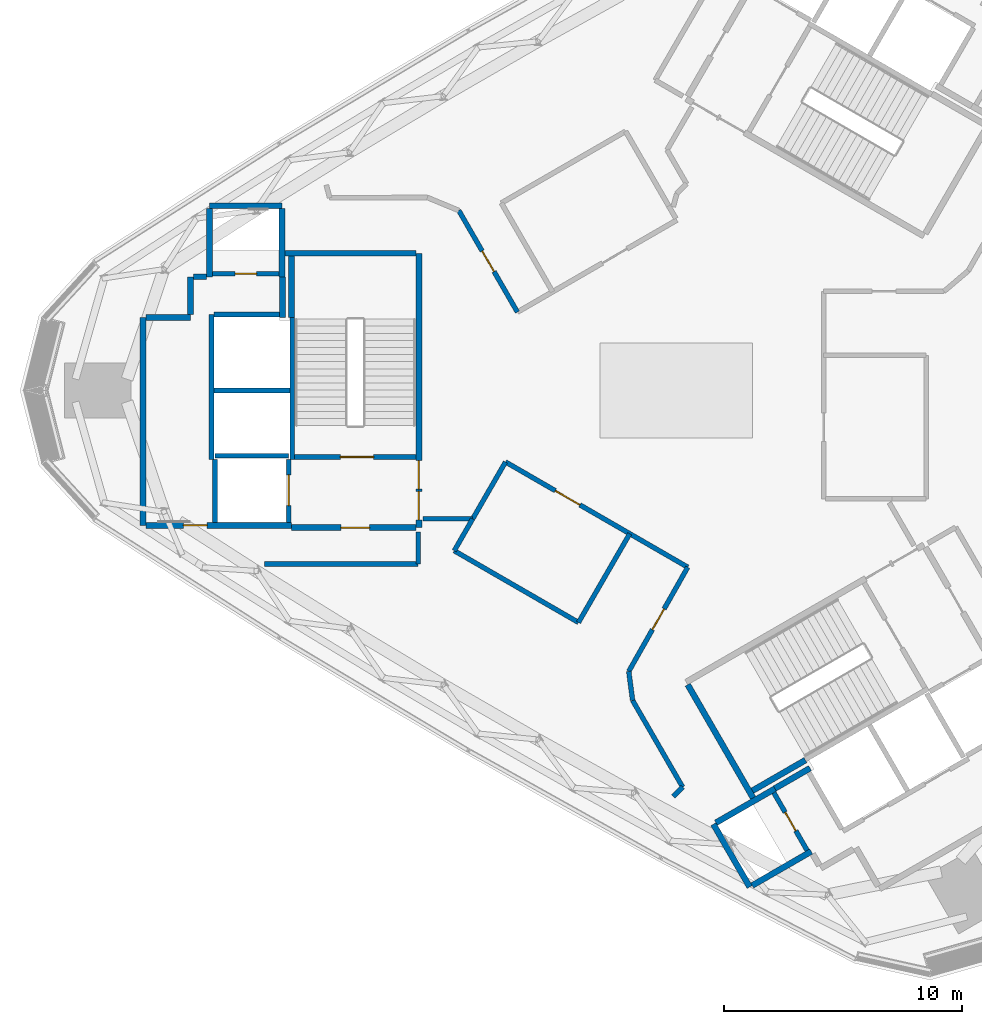
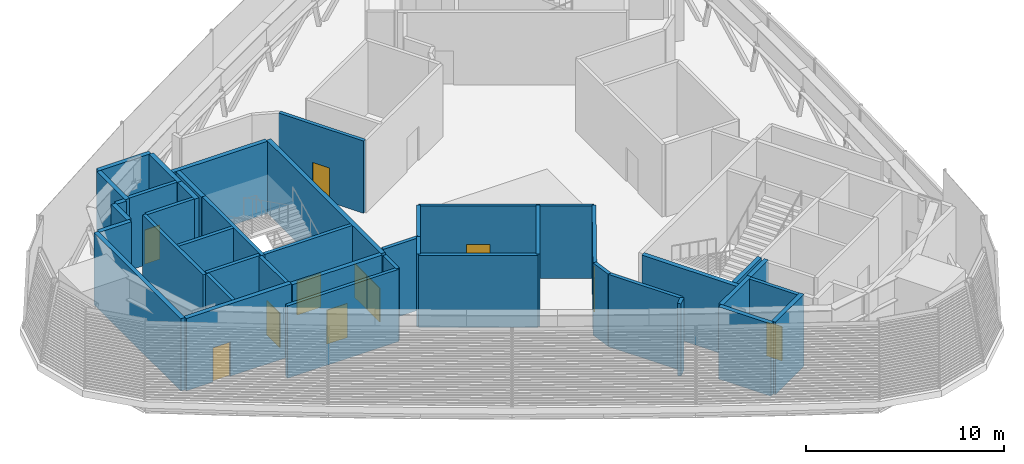
# One storey, part 12 of 18: 42 walls, 11 doors, 11 openings.
"""IFC4 building model written with IfcOpenShell, lengths in metres."""

from ifc_helpers import new_model, si_unit, direction, frame, frame_2d, origin, place, context, subcontext, project, spatial, rectangle, extrude, material, layer, layer_set, type_object, element, fill, save


model = new_model("IFC4")

# Units and contexts
model_context = context("Model", 3, precision=1e-05, world=origin(), true_north=direction((0.0, 1.0)))
body_context = subcontext(model_context, "Body", "Model", "MODEL_VIEW")
ifc_project = project(units=[si_unit("LENGTHUNIT", "METRE"), si_unit("AREAUNIT", "SQUARE_METRE"), si_unit("VOLUMEUNIT", "CUBIC_METRE"), si_unit("PLANEANGLEUNIT", "RADIAN"), si_unit("MASSUNIT", "GRAM", prefix="KILO")], contexts=[model_context])

# Site, building, storey
site_placement = place(None, origin())
site = spatial("IfcSite", under=ifc_project, at=site_placement, CompositionType="ELEMENT")
building_placement = place(site_placement, origin())
building = spatial("IfcBuilding", under=site, at=building_placement, Name="Tamra Quay Hotel Tower", CompositionType="ELEMENT")
storey_placement = place(building_placement, frame((0.0, 0.0, 257.39990234375)))
storey = spatial("IfcBuildingStorey", under=building, at=storey_placement, Name="L65", CompositionType="ELEMENT", Elevation=257.39990234375)

# Walls
ifc_material_1 = material(Name="Concrete M70", Category="concrete")
ifc_layer_1 = layer(ifc_material_1, 0.199951171875)
ifc_layer_set_1 = layer_set([ifc_layer_1], Name="Concrete M70 core wall 200")
wall_type_1 = type_object("IfcWallType", Name="Concrete M70 core wall 200", PredefinedType="SHEAR", material=ifc_layer_set_1)
wall_1_placement = place(storey_placement, frame((-16.162109375, 3.073974609375, 0.0), z_axis=(0.0, 0.0, 1.0), x_axis=(0.0, -1.0, 0.0)))
element("IfcWall", 1, at=wall_1_placement, inside=storey, type_object=wall_type_1, Name="CW2", PredefinedType="SHEAR", context=body_context, shape_type="SweptSolid", body=[
    extrude(rectangle(XDim=5.97412109375, YDim=0.199951171875, at=frame_2d((2.987060546875, 0.0))), origin(), (0.0, 0.0, 1.0), 4.4501953125),
])
wall_2_placement = place(storey_placement, frame((-19.5625, -2.900146484375, 0.0), z_axis=(0.0, 0.0, 1.0), x_axis=(0.0, 1.0, 0.0)))
element("IfcWall", 2, at=wall_2_placement, inside=storey, type_object=wall_type_1, Name="CW2", PredefinedType="SHEAR", context=body_context, shape_type="SweptSolid", body=[
    extrude(rectangle(XDim=6.100341796875, YDim=0.199951171875, at=frame_2d((3.05029296875, 0.0))), origin(), (0.0, 0.0, 1.0), 4.4501953125),
])

# Wall, opening, door
wall_3_placement = place(storey_placement, frame((-10.96337890625, -2.800048828125, 0.0), z_axis=(0.0, 0.0, 1.0), x_axis=(-1.0, 0.0, 0.0)))
wall_3 = element("IfcWall", 3, at=wall_3_placement, inside=storey, type_object=wall_type_1, Name="CW2", PredefinedType="SHEAR", context=body_context, shape_type="SweptSolid", body=[
    extrude(rectangle(XDim=5.097900390625, YDim=0.199951171875, at=frame_2d((2.548828125, 0.0))), origin(), (0.0, 0.0, 1.0), 4.4501953125),
])
opening_1_placement = place(wall_3_placement, frame((1.77392578125, 0.0, 0.0)))
opening_1 = element("IfcOpeningElement", 4, at=opening_1_placement, cuts=wall_3, Name="Opening FD2", PredefinedType="OPENING", context=body_context, shape_type="SweptSolid", body=[
    extrude(rectangle(XDim=1.39990234375, YDim=2.10009765625, at=frame_2d((0.699951171875, 1.050048828125))), frame((0.0, 0.10986328125, 0.0), z_axis=(0.0, -1.0, 0.0), x_axis=(1.0, 0.0, 0.0)), (0.0, 0.0, 1.0), 0.219970703125),
])
ifc_material_2 = material(Name="Core door FD2 1400x2100 RH")
door_type_1 = type_object("IfcDoorType", Name="Core door FD2 1400x2100 RH", OperationType="NOTDEFINED", PredefinedType="DOOR", material=ifc_material_2)
door_1_placement = place(opening_1_placement, origin())
door_1 = element("IfcDoor", 5, at=door_1_placement, inside=storey, type_object=door_type_1, Name="FD2", OperationType="SINGLE_SWING_RIGHT", OverallHeight=2.10009765625, OverallWidth=1.39990234375, PredefinedType="DOOR", context=body_context, shape_type="SweptSolid", body=[
    extrude(rectangle(XDim=1.39990234375, YDim=2.10009765625, at=frame_2d((0.699951171875, 1.050048828125))), frame((0.0, 0.02490234375, 0.0), z_axis=(0.0, -1.0, 0.0), x_axis=(1.0, 0.0, 0.0)), (0.0, 0.0, 1.0), 0.050048828125),
])
fill(opening_1, door_1)

# Wall
wall_4_placement = place(storey_placement, frame((-16.26318359375, 0.0, 0.0), z_axis=(0.0, 0.0, 1.0), x_axis=(-1.0, 0.0, 0.0)))
element("IfcWall", 6, at=wall_4_placement, inside=storey, type_object=wall_type_1, Name="CW2", PredefinedType="SHEAR", context=body_context, shape_type="SweptSolid", body=[
    extrude(rectangle(XDim=3.1982421875, YDim=0.199951171875, at=frame_2d((1.59912109375, 0.0))), origin(), (0.0, 0.0, 1.0), 4.4501953125),
])

# Wall, opening, door
wall_5_placement = place(storey_placement, frame((-19.51123046875, 4.91015625, 0.0), z_axis=(0.0, 0.0, 1.0), x_axis=(1.0, 0.0, 0.0)))
wall_5 = element("IfcWall", 7, at=wall_5_placement, inside=storey, type_object=wall_type_1, Name="CW2", PredefinedType="SHEAR", context=body_context, shape_type="SweptSolid", body=[
    extrude(rectangle(XDim=2.7978515625, YDim=0.199951171875, at=frame_2d((1.39892578125, 0.0))), origin(), (0.0, 0.0, 1.0), 4.4501953125),
])
opening_2_placement = place(wall_5_placement, frame((0.948974609375, 0.0, 0.0)))
opening_2 = element("IfcOpeningElement", 8, at=opening_2_placement, cuts=wall_5, Name="Opening D1", PredefinedType="OPENING", context=body_context, shape_type="SweptSolid", body=[
    extrude(rectangle(XDim=0.89990234375, YDim=2.10009765625, at=frame_2d((0.449951171875, 1.050048828125))), frame((0.0, 0.10986328125, 0.0), z_axis=(0.0, -1.0, 0.0), x_axis=(1.0, 0.0, 0.0)), (0.0, 0.0, 1.0), 0.219970703125),
])
ifc_material_3 = material(Name="Core door D1 900x2100 LH")
door_type_2 = type_object("IfcDoorType", Name="Core door D1 900x2100 LH", OperationType="NOTDEFINED", PredefinedType="DOOR", material=ifc_material_3)
door_2_placement = place(opening_2_placement, origin())
door_2 = element("IfcDoor", 9, at=door_2_placement, inside=storey, type_object=door_type_2, Name="D1", OperationType="SINGLE_SWING_LEFT", OverallHeight=2.10009765625, OverallWidth=0.89990234375, PredefinedType="DOOR", context=body_context, shape_type="SweptSolid", body=[
    extrude(rectangle(XDim=0.89990234375, YDim=2.10009765625, at=frame_2d((0.449951171875, 1.050048828125))), frame((0.0, 0.02490234375, 0.0), z_axis=(0.0, -1.0, 0.0), x_axis=(1.0, 0.0, 0.0)), (0.0, 0.0, 1.0), 0.050048828125),
])
fill(opening_2, door_2)

# Walls
wall_6_placement = place(storey_placement, frame((-19.46240234375, 3.2001953125, 0.0), z_axis=(0.0, 0.0, 1.0), x_axis=(1.0, 0.0, 0.0)))
element("IfcWall", 10, at=wall_6_placement, inside=storey, type_object=wall_type_1, Name="CW2", PredefinedType="SHEAR", context=body_context, shape_type="SweptSolid", body=[
    extrude(rectangle(XDim=2.759033203125, YDim=0.199951171875, at=frame_2d((1.37939453125, 0.0))), origin(), (0.0, 0.0, 1.0), 4.4501953125),
])
wall_7_placement = place(storey_placement, frame((-19.412353515625, -2.75, 0.0), z_axis=(0.0, 0.0, 1.0), x_axis=(1.0, 0.0, 0.0)))
element("IfcWall", 11, at=wall_7_placement, inside=storey, type_object=wall_type_1, Name="CW2", PredefinedType="SHEAR", context=body_context, shape_type="SweptSolid", body=[
    extrude(rectangle(XDim=3.10009765625, YDim=0.199951171875, at=frame_2d((1.550048828125, 0.0))), origin(), (0.0, 0.0, 1.0), 4.4501953125),
])

# Wall, opening, door
wall_8_placement = place(storey_placement, frame((-16.312255859375, -2.898193359375, 0.0), z_axis=(0.0, 0.0, 1.0), x_axis=(0.0, -1.0, 0.0)))
wall_8 = element("IfcWall", 12, at=wall_8_placement, inside=storey, type_object=wall_type_1, Name="CW2", PredefinedType="SHEAR", context=body_context, shape_type="SweptSolid", body=[
    extrude(rectangle(XDim=2.65087890625, YDim=0.199951171875, at=frame_2d((1.325439453125, 0.0))), origin(), (0.0, 0.0, 1.0), 4.4501953125),
])
opening_3_placement = place(wall_8_placement, frame((0.65185546875, 0.0, 0.0)))
opening_3 = element("IfcOpeningElement", 13, at=opening_3_placement, cuts=wall_8, Name="Opening LD", PredefinedType="OPENING", context=body_context, shape_type="SweptSolid", body=[
    extrude(rectangle(XDim=1.300048828125, YDim=2.10009765625, at=frame_2d((0.64990234375, 1.050048828125))), frame((0.0, 0.10986328125, 0.0), z_axis=(0.0, -1.0, 0.0), x_axis=(1.0, 0.0, 0.0)), (0.0, 0.0, 1.0), 0.219970703125),
])
ifc_material_4 = material(Name="Landing door LD 1300 sliding to right")
door_type_3 = type_object("IfcDoorType", Name="Landing door LD 1300 sliding to right", OperationType="NOTDEFINED", PredefinedType="DOOR", material=ifc_material_4)
door_3_placement = place(opening_3_placement, origin())
door_3 = element("IfcDoor", 14, at=door_3_placement, inside=storey, type_object=door_type_3, Name="LD", OperationType="SLIDING_TO_RIGHT", OverallHeight=2.10009765625, OverallWidth=1.300048828125, PredefinedType="DOOR", context=body_context, shape_type="SweptSolid", body=[
    extrude(rectangle(XDim=1.300048828125, YDim=2.10009765625, at=frame_2d((0.64990234375, 1.050048828125))), frame((0.0, 0.02490234375, 0.0), z_axis=(0.0, -1.0, 0.0), x_axis=(1.0, 0.0, 0.0)), (0.0, 0.0, 1.0), 0.050048828125),
])
fill(opening_3, door_3)

# Wall
wall_9_placement = place(storey_placement, frame((-19.412353515625, -5.549072265625, 0.0), z_axis=(0.0, 0.0, 1.0), x_axis=(0.0, 1.0, 0.0)))
element("IfcWall", 15, at=wall_9_placement, inside=storey, type_object=wall_type_1, Name="CW2", PredefinedType="SHEAR", context=body_context, shape_type="SweptSolid", body=[
    extrude(rectangle(XDim=2.65087890625, YDim=0.199951171875, at=frame_2d((1.325439453125, 0.0))), origin(), (0.0, 0.0, 1.0), 4.4501953125),
])

# Wall, opening, door
wall_10_placement = place(storey_placement, frame((5.50341796875, -19.352294921875, 0.0), z_axis=(0.0, 0.0, 1.0), x_axis=(-0.499986818241, 0.866033014143, 0.0)))
wall_10 = element("IfcWall", 16, at=wall_10_placement, inside=storey, type_object=wall_type_1, Name="CW2", PredefinedType="SHEAR", context=body_context, shape_type="SweptSolid", body=[
    extrude(rectangle(XDim=2.7978515625, YDim=0.199951171875, at=frame_2d((1.39892578125, 0.0))), origin(), (0.0, 0.0, 1.0), 4.4501953125),
])
opening_4_placement = place(wall_10_placement, frame((0.948974609375, 0.0, 0.0)))
opening_4 = element("IfcOpeningElement", 17, at=opening_4_placement, cuts=wall_10, Name="Opening D1", PredefinedType="OPENING", context=body_context, shape_type="SweptSolid", body=[
    extrude(rectangle(XDim=0.89990234375, YDim=2.10009765625, at=frame_2d((0.449951171875, 1.050048828125))), frame((0.0, 0.10986328125, 0.0), z_axis=(0.0, -1.0, 0.0), x_axis=(1.0, 0.0, 0.0)), (0.0, 0.0, 1.0), 0.219970703125),
])
ifc_material_5 = material(Name="Core door D1 900x2100 RH")
door_type_4 = type_object("IfcDoorType", Name="Core door D1 900x2100 RH", OperationType="NOTDEFINED", PredefinedType="DOOR", material=ifc_material_5)
door_4_placement = place(opening_4_placement, origin())
door_4 = element("IfcDoor", 18, at=door_4_placement, inside=storey, type_object=door_type_4, Name="D1", OperationType="SINGLE_SWING_RIGHT", OverallHeight=2.10009765625, OverallWidth=0.89990234375, PredefinedType="DOOR", context=body_context, shape_type="SweptSolid", body=[
    extrude(rectangle(XDim=0.89990234375, YDim=2.10009765625, at=frame_2d((0.449951171875, 1.050048828125))), frame((0.0, 0.02490234375, 0.0), z_axis=(0.0, -1.0, 0.0), x_axis=(1.0, 0.0, 0.0)), (0.0, 0.0, 1.0), 0.050048828125),
])
fill(opening_4, door_4)

# Wall, openings, doors
ifc_layer_2 = layer(ifc_material_1, 0.25)
ifc_layer_set_2 = layer_set([ifc_layer_2], Name="Concrete M70 core wall 250")
wall_type_2 = type_object("IfcWallType", Name="Concrete M70 core wall 250", PredefinedType="SHEAR", material=ifc_layer_set_2)
wall_11_placement = place(storey_placement, frame((-10.83740234375, 5.77490234375, 0.0), z_axis=(0.0, 0.0, 1.0), x_axis=(0.0, -1.0, 0.0)))
wall_11 = element("IfcWall", 19, at=wall_11_placement, inside=storey, type_object=wall_type_2, Name="CW1", PredefinedType="SHEAR", context=body_context, shape_type="SweptSolid", body=[
    extrude(rectangle(XDim=11.5498046875, YDim=0.25, at=frame_2d((5.77490234375, 0.0))), origin(), (0.0, 0.0, 1.0), 4.4501953125),
])
opening_5_placement = place(wall_11_placement, frame((10.02490234375, 0.0, 0.0)))
opening_5 = element("IfcOpeningElement", 20, at=opening_5_placement, cuts=wall_11, Name="Opening FD1", PredefinedType="OPENING", context=body_context, shape_type="SweptSolid", body=[
    extrude(rectangle(XDim=1.199951171875, YDim=2.10009765625, at=frame_2d((0.60009765625, 1.050048828125))), frame((0.0, 0.135009765625, 0.0), z_axis=(0.0, -1.0, 0.0), x_axis=(1.0, 0.0, 0.0)), (0.0, 0.0, 1.0), 0.27001953125),
])
opening_6_placement = place(wall_11_placement, frame((8.72509765625, 0.0, 0.0)))
opening_6 = element("IfcOpeningElement", 21, at=opening_6_placement, cuts=wall_11, Name="Opening FD1", PredefinedType="OPENING", context=body_context, shape_type="SweptSolid", body=[
    extrude(rectangle(XDim=1.199951171875, YDim=2.10009765625, at=frame_2d((0.60009765625, 1.050048828125))), frame((0.0, 0.135009765625, 0.0), z_axis=(0.0, -1.0, 0.0), x_axis=(1.0, 0.0, 0.0)), (0.0, 0.0, 1.0), 0.27001953125),
])
ifc_material_6 = material(Name="Core door FD1 1200x2100 LH")
door_type_5 = type_object("IfcDoorType", Name="Core door FD1 1200x2100 LH", OperationType="NOTDEFINED", PredefinedType="DOOR", material=ifc_material_6)
door_5_placement = place(opening_5_placement, origin())
door_5 = element("IfcDoor", 22, at=door_5_placement, inside=storey, type_object=door_type_5, Name="FD1", OperationType="SINGLE_SWING_LEFT", OverallHeight=2.10009765625, OverallWidth=1.199951171875, PredefinedType="DOOR", context=body_context, shape_type="SweptSolid", body=[
    extrude(rectangle(XDim=1.199951171875, YDim=2.10009765625, at=frame_2d((0.60009765625, 1.050048828125))), frame((0.0, 0.02490234375, 0.0), z_axis=(0.0, -1.0, 0.0), x_axis=(1.0, 0.0, 0.0)), (0.0, 0.0, 1.0), 0.050048828125),
])
fill(opening_5, door_5)
ifc_material_7 = material(Name="Core door FD1 1200x2100 RH")
door_type_6 = type_object("IfcDoorType", Name="Core door FD1 1200x2100 RH", OperationType="NOTDEFINED", PredefinedType="DOOR", material=ifc_material_7)
door_6_placement = place(opening_6_placement, origin())
door_6 = element("IfcDoor", 23, at=door_6_placement, inside=storey, type_object=door_type_6, Name="FD1", OperationType="SINGLE_SWING_RIGHT", OverallHeight=2.10009765625, OverallWidth=1.199951171875, PredefinedType="DOOR", context=body_context, shape_type="SweptSolid", body=[
    extrude(rectangle(XDim=1.199951171875, YDim=2.10009765625, at=frame_2d((0.60009765625, 1.050048828125))), frame((0.0, 0.02490234375, 0.0), z_axis=(0.0, -1.0, 0.0), x_axis=(1.0, 0.0, 0.0)), (0.0, 0.0, 1.0), 0.050048828125),
])
fill(opening_6, door_6)

# Wall
wall_12_placement = place(storey_placement, frame((-22.437255859375, -5.675048828125, 0.0), z_axis=(0.0, 0.0, 1.0), x_axis=(0.0, 1.0, 0.0)))
element("IfcWall", 24, at=wall_12_placement, inside=storey, type_object=wall_type_2, Name="CW1", PredefinedType="SHEAR", context=body_context, shape_type="SweptSolid", body=[
    extrude(rectangle(XDim=8.75, YDim=0.25, at=frame_2d((4.375, 0.0))), origin(), (0.0, 0.0, 1.0), 4.4501953125),
])

# Wall, opening, door
wall_13_placement = place(storey_placement, frame((-16.187255859375, -5.675048828125, 0.0), z_axis=(0.0, 0.0, 1.0), x_axis=(-1.0, 0.0, 0.0)))
wall_13 = element("IfcWall", 25, at=wall_13_placement, inside=storey, type_object=wall_type_2, Name="CW1", PredefinedType="SHEAR", context=body_context, shape_type="SweptSolid", body=[
    extrude(rectangle(XDim=6.12451171875, YDim=0.25, at=frame_2d((3.062255859375, 0.0))), origin(), (0.0, 0.0, 1.0), 4.4501953125),
])
opening_7_placement = place(wall_13_placement, frame((3.562744140625, 0.0, 0.0)))
opening_7 = element("IfcOpeningElement", 26, at=opening_7_placement, cuts=wall_13, Name="Opening FD3", PredefinedType="OPENING", context=body_context, shape_type="SweptSolid", body=[
    extrude(rectangle(XDim=1.0, YDim=2.10009765625, at=frame_2d((0.5, 1.050048828125))), frame((0.0, 0.135009765625, 0.0), z_axis=(0.0, -1.0, 0.0), x_axis=(1.0, 0.0, 0.0)), (0.0, 0.0, 1.0), 0.27001953125),
])
ifc_material_8 = material(Name="Core door FD3 1000x2100 LH")
door_type_7 = type_object("IfcDoorType", Name="Core door FD3 1000x2100 LH", OperationType="NOTDEFINED", PredefinedType="DOOR", material=ifc_material_8)
door_7_placement = place(opening_7_placement, origin())
door_7 = element("IfcDoor", 27, at=door_7_placement, inside=storey, type_object=door_type_7, Name="FD3", OperationType="SINGLE_SWING_LEFT", OverallHeight=2.10009765625, OverallWidth=1.0, PredefinedType="DOOR", context=body_context, shape_type="SweptSolid", body=[
    extrude(rectangle(XDim=1.0, YDim=2.10009765625, at=frame_2d((0.5, 1.050048828125))), frame((0.0, 0.02490234375, 0.0), z_axis=(0.0, -1.0, 0.0), x_axis=(1.0, 0.0, 0.0)), (0.0, 0.0, 1.0), 0.050048828125),
])
fill(opening_7, door_7)

wall_14_placement = place(storey_placement, frame((-10.962646484375, -5.77490234375, 0.0), z_axis=(0.0, 0.0, 1.0), x_axis=(-1.0, 0.0, 0.0)))
wall_14 = element("IfcWall", 28, at=wall_14_placement, inside=storey, type_object=wall_type_2, Name="CW1", PredefinedType="SHEAR", context=body_context, shape_type="SweptSolid", body=[
    extrude(rectangle(XDim=5.224609375, YDim=0.25, at=frame_2d((2.6123046875, 0.0))), origin(), (0.0, 0.0, 1.0), 4.4501953125),
])
opening_8_placement = place(wall_14_placement, frame((1.94970703125, 0.0, 0.0)))
opening_8 = element("IfcOpeningElement", 29, at=opening_8_placement, cuts=wall_14, Name="Opening D2", PredefinedType="OPENING", context=body_context, shape_type="SweptSolid", body=[
    extrude(rectangle(XDim=1.199951171875, YDim=2.10009765625, at=frame_2d((0.60009765625, 1.050048828125))), frame((0.0, 0.135009765625, 0.0), z_axis=(0.0, -1.0, 0.0), x_axis=(1.0, 0.0, 0.0)), (0.0, 0.0, 1.0), 0.27001953125),
])
ifc_material_9 = material(Name="Core door D2 1200x2100 LH")
door_type_8 = type_object("IfcDoorType", Name="Core door D2 1200x2100 LH", OperationType="NOTDEFINED", PredefinedType="DOOR", material=ifc_material_9)
door_8_placement = place(opening_8_placement, origin())
door_8 = element("IfcDoor", 30, at=door_8_placement, inside=storey, type_object=door_type_8, Name="D2", OperationType="SINGLE_SWING_LEFT", OverallHeight=2.10009765625, OverallWidth=1.199951171875, PredefinedType="DOOR", context=body_context, shape_type="SweptSolid", body=[
    extrude(rectangle(XDim=1.199951171875, YDim=2.10009765625, at=frame_2d((0.60009765625, 1.050048828125))), frame((0.0, 0.02490234375, 0.0), z_axis=(0.0, -1.0, 0.0), x_axis=(1.0, 0.0, 0.0)), (0.0, 0.0, 1.0), 0.050048828125),
])
fill(opening_8, door_8)

# Walls
wall_15_placement = place(storey_placement, frame((-16.47216796875, 5.77490234375, 0.0), z_axis=(0.0, 0.0, 1.0), x_axis=(1.0, 0.0, 0.0)))
element("IfcWall", 31, at=wall_15_placement, inside=storey, type_object=wall_type_2, Name="CW1", PredefinedType="SHEAR", context=body_context, shape_type="SweptSolid", body=[
    extrude(rectangle(XDim=5.509521484375, YDim=0.25, at=frame_2d((2.7548828125, 0.0))), origin(), (0.0, 0.0, 1.0), 4.4501953125),
])
wall_16_placement = place(storey_placement, frame((-19.63720703125, 7.77490234375, 0.0), z_axis=(0.0, 0.0, 1.0), x_axis=(1.0, 0.0, 0.0)))
element("IfcWall", 32, at=wall_16_placement, inside=storey, type_object=wall_type_2, Name="CW1", PredefinedType="SHEAR", context=body_context, shape_type="SweptSolid", body=[
    extrude(rectangle(XDim=3.0498046875, YDim=0.25, at=frame_2d((1.52490234375, 0.0))), origin(), (0.0, 0.0, 1.0), 4.4501953125),
])
for number, where, z_axis, x_axis, name in (
    (33, (-16.58740234375, 7.649658203125, 0.0), (0.0, 0.0, 1.0), (0.0, -1.0, 0.0), "CW1"),
    (34, (-19.63720703125, 4.784912109375, 0.0), (0.0, 0.0, 1.0), (0.0, 1.0, 0.0), "CW1"),
):
    element("IfcWall", number, at=place(storey_placement, frame(where, z_axis=z_axis, x_axis=x_axis)), inside=storey, type_object=wall_type_2, Name=name, PredefinedType="SHEAR", context=body_context, shape_type="SweptSolid", body=[
        extrude(rectangle(XDim=2.86474609375, YDim=0.25, at=frame_2d((1.432373046875, 0.0))), origin(), (0.0, 0.0, 1.0), 4.4501953125),
    ])
wall_17_placement = place(storey_placement, frame((-16.187255859375, 3.074951171875, 0.0), z_axis=(0.0, 0.0, 1.0), x_axis=(0.0, 1.0, 0.0)))
element("IfcWall", 35, at=wall_17_placement, inside=storey, type_object=wall_type_2, Name="CW1", PredefinedType="SHEAR", context=body_context, shape_type="SweptSolid", body=[
    extrude(rectangle(XDim=2.57470703125, YDim=0.25, at=frame_2d((1.287353515625, 0.0))), origin(), (0.0, 0.0, 1.0), 4.4501953125),
])
wall_18_placement = place(storey_placement, frame((-22.311767578125, 3.074951171875, 0.0), z_axis=(0.0, 0.0, 1.0), x_axis=(1.0, 0.0, 0.0)))
element("IfcWall", 36, at=wall_18_placement, inside=storey, type_object=wall_type_2, Name="CW1", PredefinedType="SHEAR", context=body_context, shape_type="SweptSolid", body=[
    extrude(rectangle(XDim=1.864501953125, YDim=0.25, at=frame_2d((0.93212890625, 0.0))), origin(), (0.0, 0.0, 1.0), 4.4501953125),
])
wall_19_placement = place(storey_placement, frame((-16.577392578125, 4.784912109375, 0.0), z_axis=(0.0, 0.0, 1.0), x_axis=(0.0, -1.0, 0.0)))
element("IfcWall", 37, at=wall_19_placement, inside=storey, type_object=wall_type_2, Name="CW1", PredefinedType="SHEAR", context=body_context, shape_type="SweptSolid", body=[
    extrude(rectangle(XDim=1.7099609375, YDim=0.25, at=frame_2d((0.85498046875, 0.0))), origin(), (0.0, 0.0, 1.0), 4.4501953125),
])
wall_20_placement = place(storey_placement, frame((-20.447265625, 3.200439453125, 0.0), z_axis=(0.0, 0.0, 1.0), x_axis=(0.0, 1.0, 0.0)))
element("IfcWall", 38, at=wall_20_placement, inside=storey, type_object=wall_type_2, Name="CW1", PredefinedType="SHEAR", context=body_context, shape_type="SweptSolid", body=[
    extrude(rectangle(XDim=1.58447265625, YDim=0.25, at=frame_2d((0.792236328125, 0.0))), origin(), (0.0, 0.0, 1.0), 4.4501953125),
])
wall_21_placement = place(storey_placement, frame((-20.32177734375, 4.784912109375, 0.0), z_axis=(0.0, 0.0, 1.0), x_axis=(1.0, 0.0, 0.0)))
element("IfcWall", 39, at=wall_21_placement, inside=storey, type_object=wall_type_2, Name="CW1", PredefinedType="SHEAR", context=body_context, shape_type="SweptSolid", body=[
    extrude(rectangle(XDim=0.55908203125, YDim=0.25, at=frame_2d((0.279541015625, 0.0))), origin(), (0.0, 0.0, 1.0), 4.4501953125),
])
wall_22_placement = place(storey_placement, frame((3.23486328125, -17.15283203125, 0.0), z_axis=(0.0, 0.0, 1.0), x_axis=(-0.500008851346, 0.866020293397, 0.0)))
element("IfcWall", 40, at=wall_22_placement, inside=storey, type_object=wall_type_2, Name="CW1", PredefinedType="SHEAR", context=body_context, shape_type="SweptSolid", body=[
    extrude(rectangle(XDim=5.509765625, YDim=0.25, at=frame_2d((2.7548828125, 0.0))), origin(), (0.0, 0.0, 1.0), 4.4501953125),
])
wall_23_placement = place(storey_placement, frame((3.085205078125, -20.893798828125, 0.0), z_axis=(0.0, 0.0, 1.0), x_axis=(-0.499978833458, 0.866037623948, 0.0)))
element("IfcWall", 41, at=wall_23_placement, inside=storey, type_object=wall_type_2, Name="CW1", PredefinedType="SHEAR", context=body_context, shape_type="SweptSolid", body=[
    extrude(rectangle(XDim=3.050048828125, YDim=0.25, at=frame_2d((1.52490234375, 0.0))), origin(), (0.0, 0.0, 1.0), 4.4501953125),
])
wall_24_placement = place(storey_placement, frame((1.6689453125, -18.189697265625, 0.0), z_axis=(0.0, 0.0, 1.0), x_axis=(0.866042235819, 0.499970844928, 0.0)))
element("IfcWall", 42, at=wall_24_placement, inside=storey, type_object=wall_type_2, Name="CW1", PredefinedType="SHEAR", context=body_context, shape_type="SweptSolid", body=[
    extrude(rectangle(XDim=2.864501953125, YDim=0.25, at=frame_2d((1.43212890625, 0.0))), origin(), (0.0, 0.0, 1.0), 4.4501953125),
])
wall_25_placement = place(storey_placement, frame((5.6748046875, -19.39892578125, 0.0), z_axis=(0.0, 0.0, 1.0), x_axis=(-0.866026637627, -0.499997862916, 0.0)))
element("IfcWall", 43, at=wall_25_placement, inside=storey, type_object=wall_type_2, Name="CW1", PredefinedType="SHEAR", context=body_context, shape_type="SweptSolid", body=[
    extrude(rectangle(XDim=2.86474609375, YDim=0.25, at=frame_2d((1.432373046875, 0.0))), origin(), (0.0, 0.0, 1.0), 4.4501953125),
])
wall_26_placement = place(storey_placement, frame((5.4306640625, -15.55615234375, 0.0), z_axis=(0.0, 0.0, 1.0), x_axis=(-0.866022940537, -0.500004266446, 0.0)))
element("IfcWall", 44, at=wall_26_placement, inside=storey, type_object=wall_type_2, Name="CW1", PredefinedType="SHEAR", context=body_context, shape_type="SweptSolid", body=[
    extrude(rectangle(XDim=2.57470703125, YDim=0.25, at=frame_2d((1.287353515625, 0.0))), origin(), (0.0, 0.0, 1.0), 4.4501953125),
])
wall_27_placement = place(storey_placement, frame((4.144775390625, -16.748779296875, 0.0), z_axis=(0.0, 0.0, 1.0), x_axis=(0.866038183914, 0.499977863513, 0.0)))
element("IfcWall", 45, at=wall_27_placement, inside=storey, type_object=wall_type_2, Name="CW1", PredefinedType="SHEAR", context=body_context, shape_type="SweptSolid", body=[
    extrude(rectangle(XDim=1.7099609375, YDim=0.25, at=frame_2d((0.85498046875, 0.0))), origin(), (0.0, 0.0, 1.0), 4.4501953125),
])
ifc_material_10 = material(Name="Partition corridor wall")
ifc_layer_3 = layer(ifc_material_10, 0.199951171875)
ifc_layer_set_3 = layer_set([ifc_layer_3], Name="Partition corridor wall")
wall_type_3 = type_object("IfcWallType", Name="Partition corridor wall", PredefinedType="PARTITIONING", material=ifc_layer_set_3)
wall_28_placement = place(storey_placement, frame((-17.337890625, -7.300048828125, 0.0), z_axis=(0.0, 0.0, 1.0), x_axis=(1.0, 0.0, 0.0)))
element("IfcWall", 46, at=wall_28_placement, inside=storey, type_object=wall_type_3, Name="W-C", PredefinedType="PARTITIONING", context=body_context, shape_type="SweptSolid", body=[
    extrude(rectangle(XDim=6.475830078125, YDim=0.199951171875, at=frame_2d((3.23779296875, 0.0))), origin(), (0.0, 0.0, 1.0), 4.4501953125),
])
wall_29_placement = place(storey_placement, frame((-10.862060546875, -7.300048828125, 0.0), z_axis=(0.0, 0.0, 1.0), x_axis=(0.0, 1.0, 0.0)))
element("IfcWall", 47, at=wall_29_placement, inside=storey, type_object=wall_type_3, Name="W-C", PredefinedType="PARTITIONING", context=body_context, shape_type="SweptSolid", body=[
    extrude(rectangle(XDim=1.340087890625, YDim=0.199951171875, at=frame_2d((0.669921875, 0.0))), origin(), (0.0, 0.0, 1.0), 4.4501953125),
])
wall_30_placement = place(storey_placement, frame((-10.65234375, -5.39990234375, 0.0), z_axis=(0.0, 0.0, 1.0), x_axis=(1.0, 0.0, 0.0)))
element("IfcWall", 48, at=wall_30_placement, inside=storey, type_object=wall_type_3, Name="W-C", PredefinedType="PARTITIONING", context=body_context, shape_type="SweptSolid", body=[
    extrude(rectangle(XDim=2.083251953125, YDim=0.199951171875, at=frame_2d((1.04150390625, 0.0))), origin(), (0.0, 0.0, 1.0), 4.4501953125),
])

# Wall, opening, door
wall_31_placement = place(storey_placement, frame((-9.155029296875, 7.573974609375, 0.0), z_axis=(0.0, 0.0, 1.0), x_axis=(0.499899390653, -0.866083482827, 0.0)))
wall_31 = element("IfcWall", 49, at=wall_31_placement, inside=storey, type_object=wall_type_3, Name="W-C", PredefinedType="PARTITIONING", context=body_context, shape_type="SweptSolid", body=[
    extrude(rectangle(XDim=4.93701171875, YDim=0.199951171875, at=frame_2d((2.468505859375, 0.0))), origin(), (0.0, 0.0, 1.0), 4.4501953125),
])
opening_9_placement = place(wall_31_placement, frame((1.965576171875, 0.0, 0.0)))
opening_9 = element("IfcOpeningElement", 50, at=opening_9_placement, cuts=wall_31, Name="Opening L65-D001", PredefinedType="OPENING", context=body_context, shape_type="SweptSolid", body=[
    extrude(rectangle(XDim=1.0, YDim=2.10009765625, at=frame_2d((0.5, 1.050048828125))), frame((0.0, 0.10986328125, 0.0), z_axis=(0.0, -1.0, 0.0), x_axis=(1.0, 0.0, 0.0)), (0.0, 0.0, 1.0), 0.219970703125),
])
ifc_material_11 = material(Name="Door service room 1000x2100")
door_type_9 = type_object("IfcDoorType", Name="Door service room 1000x2100", OperationType="NOTDEFINED", PredefinedType="DOOR", material=ifc_material_11)
door_9_placement = place(opening_9_placement, origin())
door_9 = element("IfcDoor", 51, at=door_9_placement, inside=storey, type_object=door_type_9, Name="L65-D001", OperationType="SINGLE_SWING_LEFT", OverallHeight=2.10009765625, OverallWidth=1.0, PredefinedType="DOOR", context=body_context, shape_type="SweptSolid", body=[
    extrude(rectangle(XDim=1.0, YDim=2.10009765625, at=frame_2d((0.5, 1.050048828125))), frame((0.0, 0.02490234375, 0.0), z_axis=(0.0, -1.0, 0.0), x_axis=(1.0, 0.0, 0.0)), (0.0, 0.0, 1.0), 0.050048828125),
])
fill(opening_9, door_9)

# Wall
wall_32_placement = place(storey_placement, frame((-8.569091796875, -5.39990234375, 0.0), z_axis=(0.0, 0.0, 1.0), x_axis=(0.499934255424, 0.866063358106, 0.0)))
element("IfcWall", 52, at=wall_32_placement, inside=storey, type_object=wall_type_3, Name="W-C", PredefinedType="PARTITIONING", context=body_context, shape_type="SweptSolid", body=[
    extrude(rectangle(XDim=2.760498046875, YDim=0.199951171875, at=frame_2d((1.38037109375, 0.0))), origin(), (0.0, 0.0, 1.0), 4.4501953125),
])

# Wall, opening, door
wall_33_placement = place(storey_placement, frame((-7.18798828125, -3.00732421875, 0.0), z_axis=(0.0, 0.0, 1.0), x_axis=(0.865946804656, -0.500136112979, 0.0)))
wall_33 = element("IfcWall", 53, at=wall_33_placement, inside=storey, type_object=wall_type_3, Name="W-C", PredefinedType="PARTITIONING", context=body_context, shape_type="SweptSolid", body=[
    extrude(rectangle(XDim=8.85498046875, YDim=0.199951171875, at=frame_2d((4.427490234375, 0.0))), origin(), (0.0, 0.0, 1.0), 4.4501953125),
])
opening_10_placement = place(wall_33_placement, frame((2.418212890625, 0.0, 0.0)))
opening_10 = element("IfcOpeningElement", 54, at=opening_10_placement, cuts=wall_33, Name="Opening L65-D006", PredefinedType="OPENING", context=body_context, shape_type="SweptSolid", body=[
    extrude(rectangle(XDim=1.199951171875, YDim=2.10009765625, at=frame_2d((0.60009765625, 1.050048828125))), frame((0.0, 0.10986328125, 0.0), z_axis=(0.0, -1.0, 0.0), x_axis=(1.0, 0.0, 0.0)), (0.0, 0.0, 1.0), 0.219970703125),
])
ifc_material_12 = material(Name="Door fire rated 1200x2100")
door_type_10 = type_object("IfcDoorType", Name="Door fire rated 1200x2100", OperationType="NOTDEFINED", PredefinedType="DOOR", material=ifc_material_12)
door_10_placement = place(opening_10_placement, frame((1.199951171875, 0.0, 0.0), z_axis=(0.0, 0.0, 1.0), x_axis=(-1.0, 0.0, 0.0)))
door_10 = element("IfcDoor", 55, at=door_10_placement, inside=storey, type_object=door_type_10, Name="L65-D006", OperationType="SINGLE_SWING_LEFT", OverallHeight=2.10009765625, OverallWidth=1.199951171875, PredefinedType="DOOR", context=body_context, shape_type="SweptSolid", body=[
    extrude(rectangle(XDim=1.199951171875, YDim=2.10009765625, at=frame_2d((0.60009765625, 1.050048828125))), frame((0.0, 0.02490234375, 0.0), z_axis=(0.0, -1.0, 0.0), x_axis=(1.0, 0.0, 0.0)), (0.0, 0.0, 1.0), 0.050048828125),
])
fill(opening_10, door_10)

# Wall
wall_34_placement = place(storey_placement, frame((-2.001953125, -11.819091796875, 0.0), z_axis=(0.0, 0.0, 1.0), x_axis=(0.130541623332, -0.991442829707, 0.0)))
element("IfcWall", 56, at=wall_34_placement, inside=storey, type_object=wall_type_3, Name="W-C", PredefinedType="PARTITIONING", context=body_context, shape_type="SweptSolid", body=[
    extrude(rectangle(XDim=1.232421875, YDim=0.199951171875, at=frame_2d((0.6162109375, 0.0))), origin(), (0.0, 0.0, 1.0), 4.4501953125),
])

# Wall, opening, door
wall_35_placement = place(storey_placement, frame((-2.001953125, -11.819091796875, 0.0), z_axis=(0.0, 0.0, 1.0), x_axis=(0.492742275982, 0.870175298121, 0.0)))
wall_35 = element("IfcWall", 57, at=wall_35_placement, inside=storey, type_object=wall_type_3, Name="W-C", PredefinedType="PARTITIONING", context=body_context, shape_type="SweptSolid", body=[
    extrude(rectangle(XDim=5.036865234375, YDim=0.199951171875, at=frame_2d((2.5185546875, 0.0))), origin(), (0.0, 0.0, 1.0), 4.4501953125),
])
opening_11_placement = place(wall_35_placement, frame((2.016357421875, 0.0, 0.0)))
opening_11 = element("IfcOpeningElement", 58, at=opening_11_placement, cuts=wall_35, Name="Opening L65-D003", PredefinedType="OPENING", context=body_context, shape_type="SweptSolid", body=[
    extrude(rectangle(XDim=1.0, YDim=2.10009765625, at=frame_2d((0.5, 1.050048828125))), frame((0.0, 0.10986328125, 0.0), z_axis=(0.0, -1.0, 0.0), x_axis=(1.0, 0.0, 0.0)), (0.0, 0.0, 1.0), 0.219970703125),
])
door_11_placement = place(opening_11_placement, origin())
door_11 = element("IfcDoor", 59, at=door_11_placement, inside=storey, type_object=door_type_9, Name="L65-D003", OperationType="SINGLE_SWING_LEFT", OverallHeight=2.10009765625, OverallWidth=1.0, PredefinedType="DOOR", context=body_context, shape_type="SweptSolid", body=[
    extrude(rectangle(XDim=1.0, YDim=2.10009765625, at=frame_2d((0.5, 1.050048828125))), frame((0.0, 0.02490234375, 0.0), z_axis=(0.0, -1.0, 0.0), x_axis=(1.0, 0.0, 0.0)), (0.0, 0.0, 1.0), 0.050048828125),
])
fill(opening_11, door_11)

# Walls
wall_36_placement = place(storey_placement, frame((-1.841064453125, -13.041015625, 0.0), z_axis=(0.0, 0.0, 1.0), x_axis=(0.499983206745, -0.866035099158, 0.0)))
element("IfcWall", 60, at=wall_36_placement, inside=storey, type_object=wall_type_3, Name="W-C", PredefinedType="PARTITIONING", context=body_context, shape_type="SweptSolid", body=[
    extrude(rectangle(XDim=4.214599609375, YDim=0.199951171875, at=frame_2d((2.107421875, 0.0))), origin(), (0.0, 0.0, 1.0), 4.4501953125),
])
wall_37_placement = place(storey_placement, frame((-0.1298828125, -17.087890625, 0.0), z_axis=(0.0, 0.0, 1.0), x_axis=(0.706235424469, 0.707977065466, 0.0)))
element("IfcWall", 61, at=wall_37_placement, inside=storey, type_object=wall_type_3, Name="W-C", PredefinedType="PARTITIONING", context=body_context, shape_type="SweptSolid", body=[
    extrude(rectangle(XDim=0.560791015625, YDim=0.199951171875, at=frame_2d((0.2802734375, 0.0))), origin(), (0.0, 0.0, 1.0), 4.4501953125),
])
ifc_material_13 = material(Name="Partition party wall")
ifc_layer_4 = layer(ifc_material_13, 0.199951171875)
ifc_layer_set_4 = layer_set([ifc_layer_4], Name="Partition party wall")
wall_type_4 = type_object("IfcWallType", Name="Partition party wall", PredefinedType="PARTITIONING", material=ifc_layer_set_4)
wall_38_placement = place(storey_placement, frame((-9.344970703125, -6.743896484375, 0.0), z_axis=(0.0, 0.0, 1.0), x_axis=(0.49895726232, 0.86662659224, 0.0)))
element("IfcWall", 62, at=wall_38_placement, inside=storey, type_object=wall_type_4, Name="W-P", PredefinedType="PARTITIONING", context=body_context, shape_type="SweptSolid", body=[
    extrude(rectangle(XDim=1.547119140625, YDim=0.199951171875, at=frame_2d((0.7734375, 0.0))), origin(), (0.0, 0.0, 1.0), 4.4501953125),
])
wall_39_placement = place(storey_placement, frame((-9.344970703125, -6.743896484375, 0.0), z_axis=(0.0, 0.0, 1.0), x_axis=(0.866009101611, -0.500028235129, 0.0)))
element("IfcWall", 63, at=wall_39_placement, inside=storey, type_object=wall_type_4, Name="W-P", PredefinedType="PARTITIONING", context=body_context, shape_type="SweptSolid", body=[
    extrude(rectangle(XDim=6.035888671875, YDim=0.199951171875, at=frame_2d((3.01806640625, 0.0))), origin(), (0.0, 0.0, 1.0), 4.4501953125),
])
wall_40_placement = place(storey_placement, frame((-4.117919921875, -9.761962890625, 0.0), z_axis=(0.0, 0.0, 1.0), x_axis=(0.500238903755, 0.865887428694, 0.0)))
element("IfcWall", 64, at=wall_40_placement, inside=storey, type_object=wall_type_4, Name="W-P", PredefinedType="PARTITIONING", context=body_context, shape_type="SweptSolid", body=[
    extrude(rectangle(XDim=4.31005859375, YDim=0.199951171875, at=frame_2d((2.155029296875, 0.0))), origin(), (0.0, 0.0, 1.0), 4.4501953125),
])

save(model, "model.ifc")
